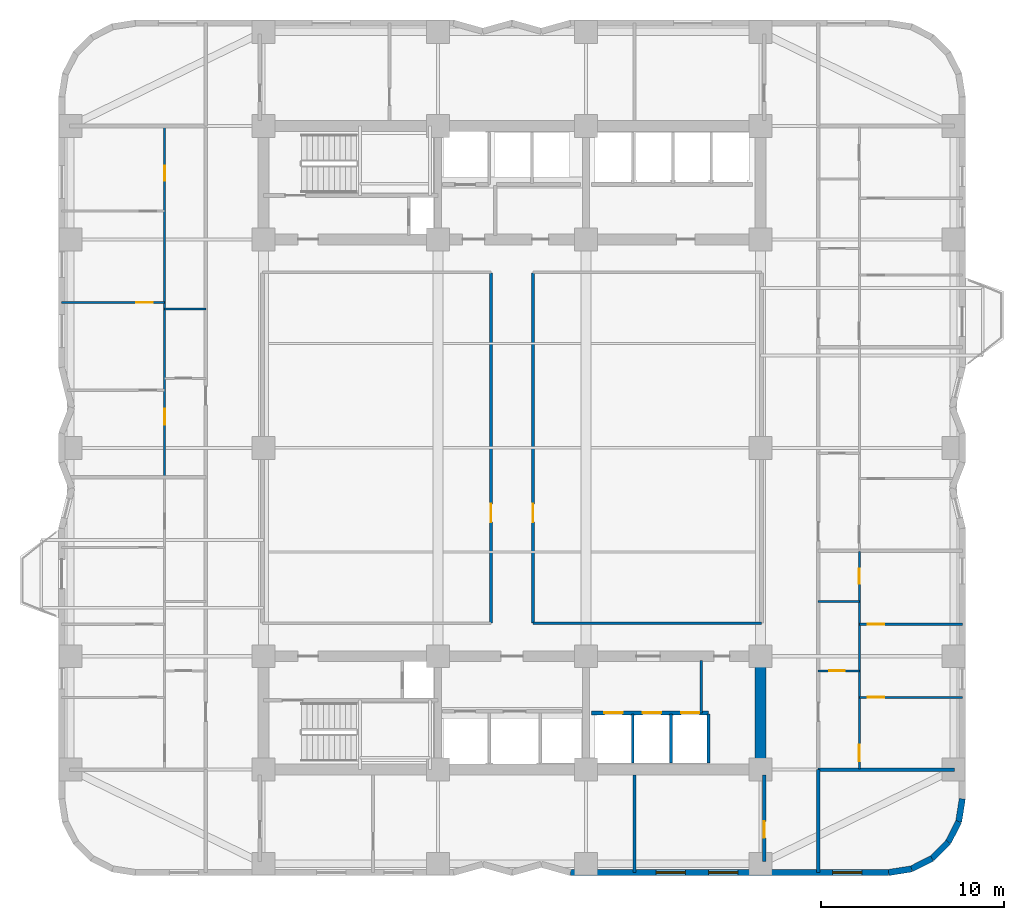
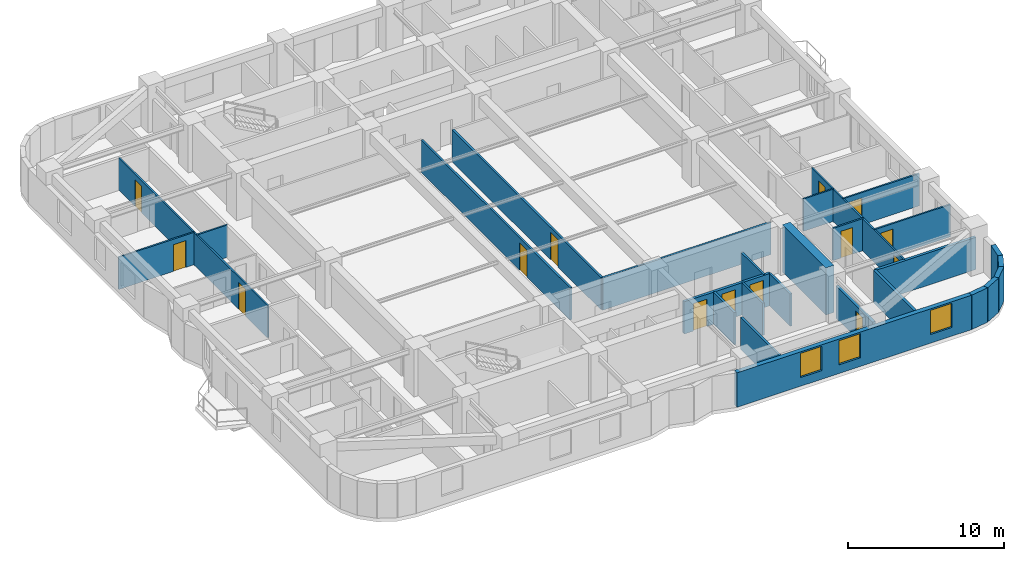
# One storey, part 4 of 9: 27 walls, 14 doors, 3 windows, 17 openings.
"""IFC4 building model written with IfcOpenShell, lengths in metres."""

import ifcopenshell
import ifcopenshell.guid

model = None  # the IFC model being written
_history = None  # IfcOwnerHistory: only IFC2X3 demands one
_inside = {}  # id of a spatial element -> (the spatial element, [elements in it])
_under = {}  # id of a project, library or spatial element -> (it, [spatial elements below it])
_declared = {}  # id of a project -> (the project, [libraries it declares])
_typed = {}  # id of a type object -> (the type object, [elements of that type])
_made_of = {}  # id of a material, layer set ... -> (it, [elements and type objects made of it])


def new_model(schema):
    """Start an empty IFC model of exactly this schema.

    Asked for "IFC4X3", IfcOpenShell would pick the latest addendum, in which some entities
    have other attributes; the version numbers below select the first issue.
    IFC2X3 requires an IfcOwnerHistory on every rooted entity: one is made here for all.
    """
    global model, _history
    if schema == "IFC4X3":
        model = ifcopenshell.file(schema_version=(4, 3, 0, 0))
    else:
        model = ifcopenshell.file(schema=schema)
    _inside.clear()
    _under.clear()
    _declared.clear()
    _typed.clear()
    _made_of.clear()
    _history = None
    if model.schema == "IFC2X3":
        org = make("IfcOrganization", Name="unknown")
        user = make(
            "IfcPersonAndOrganization",
            ThePerson=make("IfcPerson", FamilyName="unknown"),
            TheOrganization=org,
        )
        app = make(
            "IfcApplication",
            ApplicationDeveloper=org,
            Version="unknown",
            ApplicationFullName="unknown",
            ApplicationIdentifier="unknown",
        )
        _history = make(
            "IfcOwnerHistory",
            OwningUser=user,
            OwningApplication=app,
            ChangeAction="ADDED",
            CreationDate=0,
        )
    return model


def make(cls, **values):
    """One entity of the class cls with the attributes given. An attribute that is None is left unset."""
    return model.create_entity(
        cls, **{name: value for name, value in values.items() if value is not None}
    )


def rooted(cls, **values):
    """An entity with a GlobalId (a new one), such as an element, a storey or a relation."""
    return make(cls, GlobalId=ifcopenshell.guid.new(), OwnerHistory=_history, **values)


def si_unit(unit_type, name, prefix=None):
    """IfcSIUnit, for example si_unit("LENGTHUNIT", "METRE", prefix="MILLI")."""
    return make("IfcSIUnit", UnitType=unit_type, Prefix=prefix, Name=name)


def assignment(units):
    """IfcUnitAssignment: the units of a project."""
    return None if units is None else make("IfcUnitAssignment", Units=units)


def point(xyz):
    """IfcCartesianPoint."""
    return None if xyz is None else make("IfcCartesianPoint", Coordinates=xyz)


def direction(xyz):
    """IfcDirection."""
    return None if xyz is None else make("IfcDirection", DirectionRatios=xyz)


def frame(location, z_axis=None, x_axis=None):
    """IfcAxis2Placement3D, a coordinate frame: its origin and axes. An axis left out is left unset."""
    return make(
        "IfcAxis2Placement3D",
        Location=point(location),
        Axis=direction(z_axis),
        RefDirection=direction(x_axis),
    )


def frame_2d(location, x_axis=None):
    """IfcAxis2Placement2D, a coordinate frame in the plane: its origin and x axis."""
    return make(
        "IfcAxis2Placement2D", Location=point(location), RefDirection=direction(x_axis)
    )


def origin():
    """The frame at (0, 0, 0) with its axes left unset."""
    return frame((0.0, 0.0, 0.0))


def place(relative_to, where):
    """IfcLocalPlacement: puts the frame where relative to a parent placement (None: the world)."""
    return make(
        "IfcLocalPlacement", PlacementRelTo=relative_to, RelativePlacement=where
    )


def context(
    kind, dimensions, precision=None, world=None, true_north=None, identifier=None
):
    """IfcGeometricRepresentationContext, for example the 3D "Model" context."""
    return make(
        "IfcGeometricRepresentationContext",
        ContextIdentifier=identifier,
        ContextType=kind,
        CoordinateSpaceDimension=dimensions,
        Precision=precision,
        WorldCoordinateSystem=world,
        TrueNorth=true_north,
    )


def subcontext(parent, identifier, kind, view, scale=None):
    """IfcGeometricRepresentationSubContext, for example "Body" below "Model"."""
    return make(
        "IfcGeometricRepresentationSubContext",
        ContextIdentifier=identifier,
        ContextType=kind,
        ParentContext=parent,
        TargetScale=scale,
        TargetView=view,
    )


def project(units=None, contexts=None):
    """IfcProject with its units and contexts."""
    return rooted(
        "IfcProject",
        Name="project",
        RepresentationContexts=contexts,
        UnitsInContext=assignment(units),
    )


def spatial(cls, under=None, at=None, **own):
    """A site, building, storey or space (cls), placed at a placement, below another one or the project."""
    s = rooted(cls, ObjectPlacement=at, **own)
    if under is not None:
        _under.setdefault(under.id(), (under, []))[1].append(s)
    return s


def profile(cls, at=None, kind="AREA", **sizes):
    """A parametric profile (cls). Its sizes go by their IFC names, for example OverallWidth=200.0."""
    return make(cls, ProfileType=kind, Position=at, **sizes)


def rectangle(**sizes):
    """IfcRectangleProfileDef."""
    return profile("IfcRectangleProfileDef", **sizes)


def extrude(swept, where, along, depth):
    """IfcExtrudedAreaSolid: the profile swept, set in the frame where, extruded along a direction by depth."""
    return make(
        "IfcExtrudedAreaSolid",
        SweptArea=swept,
        Position=where,
        ExtrudedDirection=direction(along),
        Depth=depth,
    )


def shape(context_of_items, identifier, shape_type, items):
    """IfcShapeRepresentation: the items that make up one representation, for example the "Body"."""
    return make(
        "IfcShapeRepresentation",
        ContextOfItems=context_of_items,
        RepresentationIdentifier=identifier,
        RepresentationType=shape_type,
        Items=items,
    )


def material(Name=None, Category=None):
    """IfcMaterial."""
    return make("IfcMaterial", Name=Name, Category=Category)


def layer(
    of_material, thickness, ventilated=None, Name=None, Category=None, Priority=None
):
    """IfcMaterialLayer: one layer of a wall or slab, of a material (None: an air gap)."""
    return make(
        "IfcMaterialLayer",
        Material=of_material,
        LayerThickness=thickness,
        IsVentilated=ventilated,
        Name=Name,
        Category=Category,
        Priority=Priority,
    )


def layer_set(layers, Name=None):
    """IfcMaterialLayerSet."""
    return make("IfcMaterialLayerSet", MaterialLayers=layers, LayerSetName=Name)


def made_of(thing, what):
    """Note that an element or type object is made of a material, layer set ...; save() writes the relation."""
    if what is not None:
        _made_of.setdefault(what.id(), (what, []))[1].append(thing)
    return thing


def type_object(cls, material=None, **own):
    """A type object (cls), such as IfcWallType, which elements share."""
    return made_of(rooted(cls, **own), material)


def element(
    cls,
    number,
    at=None,
    inside=None,
    cuts=None,
    type_object=None,
    material=None,
    context=None,
    identifier="Body",
    shape_type=None,
    held_by="IfcProductDefinitionShape",
    body=None,
    shapes=None,
    **own,
):
    """One element of the class cls, such as IfcWall. Its Tag is "e" and its number.

    at: its placement. inside: the storey or other place that contains it. cuts: it is an
    opening in that element (IfcRelVoidsElement). A single representation is given by context,
    identifier, shape_type and body (its items); several are given by shapes. held_by: the class
    of the entity that holds the representations. save() writes the other relations.
    """
    e = rooted(cls, Tag="e%d" % number, ObjectPlacement=at, **own)
    if body is not None:
        shapes = [shape(context, identifier, shape_type, body)]
    if shapes is not None:
        e.Representation = make(held_by, Representations=shapes)
    if inside is not None:
        _inside.setdefault(inside.id(), (inside, []))[1].append(e)
    if cuts is not None:
        rooted(
            "IfcRelVoidsElement", RelatingBuildingElement=cuts, RelatedOpeningElement=e
        )
    if type_object is not None:
        _typed.setdefault(type_object.id(), (type_object, []))[1].append(e)
    return made_of(e, material)


def fill(opening, filler):
    """IfcRelFillsElement: the door or window that sits in an opening."""
    return rooted(
        "IfcRelFillsElement",
        RelatingOpeningElement=opening,
        RelatedBuildingElement=filler,
    )


def aggregate(whole, parts):
    """IfcRelAggregates: a whole, such as a stair, and the parts it consists of."""
    return rooted("IfcRelAggregates", RelatingObject=whole, RelatedObjects=parts)


def save(model, path):
    """Write the relations noted so far, then the file.

    IfcRelAggregates (storeys below a building ...), IfcRelContainedInSpatialStructure (elements
    in a storey), IfcRelDefinesByType, IfcRelAssociatesMaterial and IfcRelDeclares: one each for
    every whole, place, type object, material and project.
    """
    for whole, parts in _under.values():
        aggregate(whole, parts)
    for where, things in _inside.values():
        rooted(
            "IfcRelContainedInSpatialStructure",
            RelatedElements=things,
            RelatingStructure=where,
        )
    for kind, things in _typed.values():
        rooted("IfcRelDefinesByType", RelatedObjects=things, RelatingType=kind)
    for what, things in _made_of.values():
        rooted("IfcRelAssociatesMaterial", RelatedObjects=things, RelatingMaterial=what)
    for by, libraries in _declared.values():
        rooted("IfcRelDeclares", RelatingContext=by, RelatedDefinitions=libraries)
    model.write(path)


model = new_model("IFC4")

# Units and contexts
model_context = context("Model", 3, precision=1e-05, world=origin(), true_north=direction((0.0, 1.0)))
body_context = subcontext(model_context, "Body", "Model", "MODEL_VIEW")
ifc_project = project(units=[si_unit("LENGTHUNIT", "METRE"), si_unit("AREAUNIT", "SQUARE_METRE"), si_unit("VOLUMEUNIT", "CUBIC_METRE"), si_unit("PLANEANGLEUNIT", "RADIAN"), si_unit("MASSUNIT", "GRAM", prefix="KILO")], contexts=[model_context])

# Site, building, storey
site_placement = place(None, origin())
site = spatial("IfcSite", under=ifc_project, at=site_placement, CompositionType="ELEMENT")
building_placement = place(site_placement, origin())
building = spatial("IfcBuilding", under=site, at=building_placement, Name="Svetorya Sky Lyceum", CompositionType="ELEMENT")
storey_placement = place(building_placement, frame((0.0, 0.0, 28.800048828125)))
storey = spatial("IfcBuildingStorey", under=building, at=storey_placement, Name="L06", CompositionType="ELEMENT", Elevation=28.800048828125)

# Wall
ifc_material_1 = material(Name="Concrete C60/75", Category="concrete")
ifc_layer_1 = layer(ifc_material_1, 0.60009765625)
ifc_layer_set_1 = layer_set([ifc_layer_1], Name="Concrete C60/75")
wall_type_1 = type_object("IfcWallType", Name="WL-CORE-600", PredefinedType="SHEAR", material=ifc_layer_set_1)
wall_1_placement = place(storey_placement, frame((52.800048828125, 10.89990234375, 0.0), z_axis=(0.0, 0.0, 1.0), x_axis=(0.0, 1.0, 0.0)))
element("IfcWall", 1, at=wall_1_placement, inside=storey, type_object=wall_type_1, Name="L06 SC East Core Shear Wall", PredefinedType="SHEAR", context=body_context, shape_type="SweptSolid", body=[
    extrude(rectangle(XDim=5.60009765625, YDim=0.60009765625, at=frame_2d((2.800048828125, 0.0))), origin(), (0.0, 0.0, 1.0), 3.699951171875),
])

# Wall, openings, windows
ifc_material_2 = material(Name="Putilovo limestone rainscreen on autoclaved cellular masonry", Category="masonry")
ifc_layer_2 = layer(ifc_material_2, 0.340087890625)
ifc_layer_set_2 = layer_set([ifc_layer_2], Name="Putilovo limestone rainscreen on autoclaved cellular masonry")
wall_type_2 = type_object("IfcWallType", Name="WL-EXT-340", PredefinedType="SOLIDWALL", material=ifc_layer_set_2)
wall_2_placement = place(storey_placement, frame((42.39990234375, 4.969970703125, 0.0), z_axis=(0.0, 0.0, 1.0), x_axis=(1.0, 0.0, 0.0)))
wall_2 = element("IfcWall", 2, at=wall_2_placement, inside=storey, type_object=wall_type_2, Name="L06 Limestone Exterior Wall 11M", PredefinedType="SOLIDWALL", context=body_context, shape_type="SweptSolid", body=[
    extrude(rectangle(XDim=17.400146484375, YDim=0.340087890625, at=frame_2d((8.7001953125, 0.0))), origin(), (0.0, 0.0, 1.0), 2.699951171875),
])
opening_1_placement = place(wall_2_placement, frame((4.679931640625, 0.0, 0.679931640625)))
opening_1 = element("IfcOpeningElement", 3, at=opening_1_placement, cuts=wall_2, Name="Opening W-R4", PredefinedType="OPENING", context=body_context, shape_type="SweptSolid", body=[
    extrude(rectangle(XDim=1.60009765625, YDim=1.89990234375, at=frame_2d((0.800048828125, 0.949951171875))), frame((0.0, 0.179931640625, 0.0), z_axis=(0.0, -1.0, 0.0), x_axis=(1.0, 0.0, 0.0)), (0.0, 0.0, 1.0), 0.360107421875),
])
opening_2_placement = place(wall_2_placement, frame((7.550048828125, 0.0, 0.679931640625)))
opening_2 = element("IfcOpeningElement", 4, at=opening_2_placement, cuts=wall_2, Name="Opening W-R4", PredefinedType="OPENING", context=body_context, shape_type="SweptSolid", body=[
    extrude(rectangle(XDim=1.60009765625, YDim=1.89990234375, at=frame_2d((0.800048828125, 0.949951171875))), frame((0.0, 0.179931640625, 0.0), z_axis=(0.0, -1.0, 0.0), x_axis=(1.0, 0.0, 0.0)), (0.0, 0.0, 1.0), 0.360107421875),
])
opening_3_placement = place(wall_2_placement, frame((14.340087890625, 0.0, 0.679931640625)))
opening_3 = element("IfcOpeningElement", 5, at=opening_3_placement, cuts=wall_2, Name="Opening W-R4", PredefinedType="OPENING", context=body_context, shape_type="SweptSolid", body=[
    extrude(rectangle(XDim=1.60009765625, YDim=1.89990234375, at=frame_2d((0.800048828125, 0.949951171875))), frame((0.0, 0.179931640625, 0.0), z_axis=(0.0, -1.0, 0.0), x_axis=(1.0, 0.0, 0.0)), (0.0, 0.0, 1.0), 0.360107421875),
])
ifc_material_3 = material(Name="Thermally broken aluminium frame with triple low-E glazing", Category="aluminium")
window_type = type_object("IfcWindowType", Name="WN-RES-160", PartitioningType="DOUBLE_PANEL_VERTICAL", PredefinedType="WINDOW", material=ifc_material_3)
window_1_placement = place(opening_1_placement, origin())
window_1 = element("IfcWindow", 6, at=window_1_placement, inside=storey, type_object=window_type, Name="L06 Facade Window W-R4.11M.1", OverallHeight=1.89990234375, OverallWidth=1.60009765625, PartitioningType="SINGLE_PANEL", PredefinedType="WINDOW", context=body_context, shape_type="SweptSolid", body=[
    extrude(rectangle(XDim=1.60009765625, YDim=1.89990234375, at=frame_2d((0.800048828125, 0.949951171875))), frame((0.0, 0.030029296875, 0.0), z_axis=(0.0, -1.0, 0.0), x_axis=(1.0, 0.0, 0.0)), (0.0, 0.0, 1.0), 0.06005859375),
])
fill(opening_1, window_1)
window_2_placement = place(opening_2_placement, origin())
window_2 = element("IfcWindow", 7, at=window_2_placement, inside=storey, type_object=window_type, Name="L06 Facade Window W-R4.11M.2", OverallHeight=1.89990234375, OverallWidth=1.60009765625, PartitioningType="SINGLE_PANEL", PredefinedType="WINDOW", context=body_context, shape_type="SweptSolid", body=[
    extrude(rectangle(XDim=1.60009765625, YDim=1.89990234375, at=frame_2d((0.800048828125, 0.949951171875))), frame((0.0, 0.030029296875, 0.0), z_axis=(0.0, -1.0, 0.0), x_axis=(1.0, 0.0, 0.0)), (0.0, 0.0, 1.0), 0.06005859375),
])
fill(opening_2, window_2)
window_3_placement = place(opening_3_placement, origin())
window_3 = element("IfcWindow", 8, at=window_3_placement, inside=storey, type_object=window_type, Name="L06 Facade Window W-R4.11M.3", OverallHeight=1.89990234375, OverallWidth=1.60009765625, PartitioningType="SINGLE_PANEL", PredefinedType="WINDOW", context=body_context, shape_type="SweptSolid", body=[
    extrude(rectangle(XDim=1.60009765625, YDim=1.89990234375, at=frame_2d((0.800048828125, 0.949951171875))), frame((0.0, 0.030029296875, 0.0), z_axis=(0.0, -1.0, 0.0), x_axis=(1.0, 0.0, 0.0)), (0.0, 0.0, 1.0), 0.06005859375),
])
fill(opening_3, window_3)

# Walls
wall_3_placement = place(storey_placement, frame((59.800048828125, 4.969970703125, 0.0), z_axis=(0.0, 0.0, 1.0), x_axis=(0.987685918112, 0.15644975923, 0.0)))
element("IfcWall", 9, at=wall_3_placement, inside=storey, type_object=wall_type_2, Name="L06 Limestone Exterior Wall 12M", PredefinedType="SOLIDWALL", context=body_context, shape_type="SweptSolid", body=[
    extrude(rectangle(XDim=1.260986328125, YDim=0.340087890625, at=frame_2d((0.63037109375, 0.0))), origin(), (0.0, 0.0, 1.0), 2.699951171875),
])
for number, where, z_axis, x_axis, name in (
    (10, (61.04541015625, 5.167236328125, 0.0), (0.0, 0.0, 1.0), (0.890953769915, 0.454094020963, 0.0), "L06 Limestone Exterior Wall 13M"),
    (11, (62.168701171875, 5.73974609375, 0.0), (0.0, 0.0, 1.0), (0.707203598708, 0.707009950407, 0.0), "L06 Limestone Exterior Wall 14M"),
):
    element("IfcWall", number, at=place(storey_placement, frame(where, z_axis=z_axis, x_axis=x_axis)), inside=storey, type_object=wall_type_2, Name=name, PredefinedType="SOLIDWALL", context=body_context, shape_type="SweptSolid", body=[
        extrude(rectangle(XDim=1.2607421875, YDim=0.340087890625, at=frame_2d((0.63037109375, 0.0))), origin(), (0.0, 0.0, 1.0), 2.699951171875),
    ])
for number, where, z_axis, x_axis, name in (
    (12, (63.060302734375, 6.631103515625, 0.0), (0.0, 0.0, 1.0), (0.454015689056, 0.890993689142, 0.0), "L06 Limestone Exterior Wall 15M"),
    (13, (63.6328125, 7.754638671875, 0.0), (0.0, 0.0, 1.0), (0.15644975923, 0.987685918112, 0.0), "L06 Limestone Exterior Wall 16M"),
):
    element("IfcWall", number, at=place(storey_placement, frame(where, z_axis=z_axis, x_axis=x_axis)), inside=storey, type_object=wall_type_2, Name=name, PredefinedType="SOLIDWALL", context=body_context, shape_type="SweptSolid", body=[
        extrude(rectangle(XDim=1.260986328125, YDim=0.340087890625, at=frame_2d((0.63037109375, 0.0))), origin(), (0.0, 0.0, 1.0), 2.699951171875),
    ])
ifc_material_4 = material(Name="Twin-stud galvanized framing with double fireboard", Category="gypsum")
ifc_layer_3 = layer(ifc_material_4, 0.1201171875)
ifc_layer_set_3 = layer_set([ifc_layer_3], Name="Twin-stud galvanized framing with double fireboard")
wall_type_3 = type_object("IfcWallType", Name="WL-PART-120", PredefinedType="PARTITIONING", material=ifc_layer_set_3)
wall_4_placement = place(storey_placement, frame((20.199951171875, 35.800048828125, 0.0), z_axis=(0.0, 0.0, 1.0), x_axis=(1.0, 0.0, 0.0)))
element("IfcWall", 14, at=wall_4_placement, inside=storey, type_object=wall_type_3, Name="L06 Interior Partition W2-WH2", PredefinedType="PARTITIONING", context=body_context, shape_type="SweptSolid", body=[
    extrude(rectangle(XDim=2.25, YDim=0.1201171875, at=frame_2d((1.125, 0.0))), origin(), (0.0, 0.0, 1.0), 2.530029296875),
])

# Wall, opening, door
wall_5_placement = place(storey_placement, frame((14.570068359375, 36.14990234375, 0.0), z_axis=(0.0, 0.0, 1.0), x_axis=(1.0, 0.0, 0.0)))
wall_5 = element("IfcWall", 15, at=wall_5_placement, inside=storey, type_object=wall_type_3, Name="L06 Interior Partition W2-WL2", PredefinedType="PARTITIONING", context=body_context, shape_type="SweptSolid", body=[
    extrude(rectangle(XDim=5.6298828125, YDim=0.1201171875, at=frame_2d((2.81494140625, 0.0))), origin(), (0.0, 0.0, 1.0), 2.530029296875),
])
opening_4_placement = place(wall_5_placement, frame((4.080078125, 0.0, 0.0)))
opening_4 = element("IfcOpeningElement", 16, at=opening_4_placement, cuts=wall_5, Name="Opening D-RM1", PredefinedType="OPENING", context=body_context, shape_type="SweptSolid", body=[
    extrude(rectangle(XDim=0.89990234375, YDim=2.10009765625, at=frame_2d((0.449951171875, 1.050048828125))), frame((0.0, 0.070068359375, 0.0), z_axis=(0.0, -1.0, 0.0), x_axis=(1.0, 0.0, 0.0)), (0.0, 0.0, 1.0), 0.14013671875),
])
ifc_material_5 = material(Name="Lacquered birch veneer internal door")
door_type_1 = type_object("IfcDoorType", Name="DR-INT-900", OperationType="SINGLE_SWING_LEFT", PredefinedType="DOOR", material=ifc_material_5)
door_1_placement = place(opening_4_placement, origin())
door_1 = element("IfcDoor", 17, at=door_1_placement, inside=storey, type_object=door_type_1, Name="Apartment W2 Bedroom 2 Door", OperationType="SINGLE_SWING_LEFT", OverallHeight=2.10009765625, OverallWidth=0.89990234375, PredefinedType="DOOR", context=body_context, shape_type="SweptSolid", body=[
    extrude(rectangle(XDim=0.89990234375, YDim=2.10009765625, at=frame_2d((0.449951171875, 1.050048828125))), frame((0.0, 0.02490234375, 0.0), z_axis=(0.0, -1.0, 0.0), x_axis=(1.0, 0.0, 0.0)), (0.0, 0.0, 1.0), 0.050048828125),
])
fill(opening_4, door_1)

# Wall, openings, doors
wall_6_placement = place(storey_placement, frame((20.199951171875, 26.639892578125, 0.0), z_axis=(0.0, 0.0, 1.0), x_axis=(0.0, 1.0, 0.0)))
wall_6 = element("IfcWall", 18, at=wall_6_placement, inside=storey, type_object=wall_type_3, Name="L06 Interior Partition W2-WV", PredefinedType="PARTITIONING", context=body_context, shape_type="SweptSolid", body=[
    extrude(rectangle(XDim=19.1201171875, YDim=0.1201171875, at=frame_2d((9.56005859375, 0.0))), origin(), (0.0, 0.0, 1.0), 2.530029296875),
])
opening_5_placement = place(wall_6_placement, frame((2.81005859375, 0.0, 0.0)))
opening_5 = element("IfcOpeningElement", 19, at=opening_5_placement, cuts=wall_6, Name="Opening D-RM1", PredefinedType="OPENING", context=body_context, shape_type="SweptSolid", body=[
    extrude(rectangle(XDim=0.89990234375, YDim=2.10009765625, at=frame_2d((0.449951171875, 1.050048828125))), frame((0.0, 0.070068359375, 0.0), z_axis=(0.0, -1.0, 0.0), x_axis=(1.0, 0.0, 0.0)), (0.0, 0.0, 1.0), 0.14013671875),
])
opening_6_placement = place(wall_6_placement, frame((16.179931640625, 0.0, 0.0)))
opening_6 = element("IfcOpeningElement", 20, at=opening_6_placement, cuts=wall_6, Name="Opening D-BT2", PredefinedType="OPENING", context=body_context, shape_type="SweptSolid", body=[
    extrude(rectangle(XDim=0.820068359375, YDim=2.080078125, at=frame_2d((0.41015625, 1.0400390625))), frame((0.0, 0.070068359375, 0.0), z_axis=(0.0, -1.0, 0.0), x_axis=(1.0, 0.0, 0.0)), (0.0, 0.0, 1.0), 0.14013671875),
])
door_2_placement = place(opening_5_placement, origin())
door_2 = element("IfcDoor", 21, at=door_2_placement, inside=storey, type_object=door_type_1, Name="Apartment W2 Living Door", OperationType="SINGLE_SWING_LEFT", OverallHeight=2.10009765625, OverallWidth=0.89990234375, PredefinedType="DOOR", context=body_context, shape_type="SweptSolid", body=[
    extrude(rectangle(XDim=0.89990234375, YDim=2.10009765625, at=frame_2d((0.449951171875, 1.050048828125))), frame((0.0, 0.02490234375, 0.0), z_axis=(0.0, -1.0, 0.0), x_axis=(1.0, 0.0, 0.0)), (0.0, 0.0, 1.0), 0.050048828125),
])
fill(opening_5, door_2)
ifc_material_6 = material(Name="Compact moisture-resistant laminate closet door")
door_type_2 = type_object("IfcDoorType", Name="DR-WET-820", OperationType="SINGLE_SWING_LEFT", PredefinedType="DOOR", material=ifc_material_6)
door_3_placement = place(opening_6_placement, origin())
door_3 = element("IfcDoor", 22, at=door_3_placement, inside=storey, type_object=door_type_2, Name="Apartment W2 Study Door", OperationType="SINGLE_SWING_RIGHT", OverallHeight=2.080078125, OverallWidth=0.820068359375, PredefinedType="DOOR", context=body_context, shape_type="SweptSolid", body=[
    extrude(rectangle(XDim=0.820068359375, YDim=2.080078125, at=frame_2d((0.41015625, 1.0400390625))), frame((0.0, 0.02490234375, 0.0), z_axis=(0.0, -1.0, 0.0), x_axis=(1.0, 0.0, 0.0)), (0.0, 0.0, 1.0), 0.050048828125),
])
fill(opening_6, door_3)

# Wall, opening, door
wall_7_placement = place(storey_placement, frame((55.949951171875, 16.0, 0.0), z_axis=(0.0, 0.0, 1.0), x_axis=(1.0, 0.0, 0.0)))
wall_7 = element("IfcWall", 23, at=wall_7_placement, inside=storey, type_object=wall_type_3, Name="L06 Interior Partition E1-WH1", PredefinedType="PARTITIONING", context=body_context, shape_type="SweptSolid", body=[
    extrude(rectangle(XDim=2.25, YDim=0.1201171875, at=frame_2d((1.125, 0.0))), origin(), (0.0, 0.0, 1.0), 2.530029296875),
])
opening_7_placement = place(wall_7_placement, frame((0.60009765625, 0.0, 0.0)))
opening_7 = element("IfcOpeningElement", 24, at=opening_7_placement, cuts=wall_7, Name="Opening D-BT1", PredefinedType="OPENING", context=body_context, shape_type="SweptSolid", body=[
    extrude(rectangle(XDim=0.85009765625, YDim=2.10009765625, at=frame_2d((0.425048828125, 1.050048828125))), frame((0.0, 0.070068359375, 0.0), z_axis=(0.0, -1.0, 0.0), x_axis=(1.0, 0.0, 0.0)), (0.0, 0.0, 1.0), 0.14013671875),
])
ifc_material_7 = material(Name="Moisture-resistant laminate bathroom door")
door_type_3 = type_object("IfcDoorType", Name="DR-WET-850", OperationType="SINGLE_SWING_LEFT", PredefinedType="DOOR", material=ifc_material_7)
door_4_placement = place(opening_7_placement, origin())
door_4 = element("IfcDoor", 25, at=door_4_placement, inside=storey, type_object=door_type_3, Name="Apartment E1 Bathroom Door", OperationType="SINGLE_SWING_RIGHT", OverallHeight=2.10009765625, OverallWidth=0.85009765625, PredefinedType="DOOR", context=body_context, shape_type="SweptSolid", body=[
    extrude(rectangle(XDim=0.85009765625, YDim=2.10009765625, at=frame_2d((0.425048828125, 1.050048828125))), frame((0.0, 0.02490234375, 0.0), z_axis=(0.0, -1.0, 0.0), x_axis=(1.0, 0.0, 0.0)), (0.0, 0.0, 1.0), 0.050048828125),
])
fill(opening_7, door_4)

# Wall
wall_8_placement = place(storey_placement, frame((55.949951171875, 19.800048828125, 0.0), z_axis=(0.0, 0.0, 1.0), x_axis=(1.0, 0.0, 0.0)))
element("IfcWall", 26, at=wall_8_placement, inside=storey, type_object=wall_type_3, Name="L06 Interior Partition E1-WH2", PredefinedType="PARTITIONING", context=body_context, shape_type="SweptSolid", body=[
    extrude(rectangle(XDim=2.25, YDim=0.1201171875, at=frame_2d((1.125, 0.0))), origin(), (0.0, 0.0, 1.0), 2.530029296875),
])

# Wall, opening, door
wall_9_placement = place(storey_placement, frame((58.199951171875, 14.550048828125, 0.0), z_axis=(0.0, 0.0, 1.0), x_axis=(1.0, 0.0, 0.0)))
wall_9 = element("IfcWall", 27, at=wall_9_placement, inside=storey, type_object=wall_type_3, Name="L06 Interior Partition E1-WL1", PredefinedType="PARTITIONING", context=body_context, shape_type="SweptSolid", body=[
    extrude(rectangle(XDim=5.630126953125, YDim=0.1201171875, at=frame_2d((2.81494140625, 0.0))), origin(), (0.0, 0.0, 1.0), 2.530029296875),
])
opening_8_placement = place(wall_9_placement, frame((0.449951171875, 0.0, 0.0)))
opening_8 = element("IfcOpeningElement", 28, at=opening_8_placement, cuts=wall_9, Name="Opening D-RM1", PredefinedType="OPENING", context=body_context, shape_type="SweptSolid", body=[
    extrude(rectangle(XDim=0.89990234375, YDim=2.10009765625, at=frame_2d((0.449951171875, 1.050048828125))), frame((0.0, 0.070068359375, 0.0), z_axis=(0.0, -1.0, 0.0), x_axis=(1.0, 0.0, 0.0)), (0.0, 0.0, 1.0), 0.14013671875),
])
door_5_placement = place(opening_8_placement, origin())
door_5 = element("IfcDoor", 29, at=door_5_placement, inside=storey, type_object=door_type_1, Name="Apartment E1 Master Bedroom Door", OperationType="SINGLE_SWING_RIGHT", OverallHeight=2.10009765625, OverallWidth=0.89990234375, PredefinedType="DOOR", context=body_context, shape_type="SweptSolid", body=[
    extrude(rectangle(XDim=0.89990234375, YDim=2.10009765625, at=frame_2d((0.449951171875, 1.050048828125))), frame((0.0, 0.02490234375, 0.0), z_axis=(0.0, -1.0, 0.0), x_axis=(1.0, 0.0, 0.0)), (0.0, 0.0, 1.0), 0.050048828125),
])
fill(opening_8, door_5)

wall_10_placement = place(storey_placement, frame((58.199951171875, 18.550048828125, 0.0), z_axis=(0.0, 0.0, 1.0), x_axis=(1.0, 0.0, 0.0)))
wall_10 = element("IfcWall", 30, at=wall_10_placement, inside=storey, type_object=wall_type_3, Name="L06 Interior Partition E1-WL2", PredefinedType="PARTITIONING", context=body_context, shape_type="SweptSolid", body=[
    extrude(rectangle(XDim=5.630126953125, YDim=0.1201171875, at=frame_2d((2.81494140625, 0.0))), origin(), (0.0, 0.0, 1.0), 2.530029296875),
])
opening_9_placement = place(wall_10_placement, frame((0.449951171875, 0.0, 0.0)))
opening_9 = element("IfcOpeningElement", 31, at=opening_9_placement, cuts=wall_10, Name="Opening D-RM1", PredefinedType="OPENING", context=body_context, shape_type="SweptSolid", body=[
    extrude(rectangle(XDim=0.89990234375, YDim=2.10009765625, at=frame_2d((0.449951171875, 1.050048828125))), frame((0.0, 0.070068359375, 0.0), z_axis=(0.0, -1.0, 0.0), x_axis=(1.0, 0.0, 0.0)), (0.0, 0.0, 1.0), 0.14013671875),
])
door_6_placement = place(opening_9_placement, origin())
door_6 = element("IfcDoor", 32, at=door_6_placement, inside=storey, type_object=door_type_1, Name="Apartment E1 Bedroom 2 Door", OperationType="SINGLE_SWING_LEFT", OverallHeight=2.10009765625, OverallWidth=0.89990234375, PredefinedType="DOOR", context=body_context, shape_type="SweptSolid", body=[
    extrude(rectangle(XDim=0.89990234375, YDim=2.10009765625, at=frame_2d((0.449951171875, 1.050048828125))), frame((0.0, 0.02490234375, 0.0), z_axis=(0.0, -1.0, 0.0), x_axis=(1.0, 0.0, 0.0)), (0.0, 0.0, 1.0), 0.050048828125),
])
fill(opening_9, door_6)

# Wall, openings, doors
wall_11_placement = place(storey_placement, frame((58.199951171875, 10.639892578125, 0.0), z_axis=(0.0, 0.0, 1.0), x_axis=(0.0, 1.0, 0.0)))
wall_11 = element("IfcWall", 33, at=wall_11_placement, inside=storey, type_object=wall_type_3, Name="L06 Interior Partition E1-WV", PredefinedType="PARTITIONING", context=body_context, shape_type="SweptSolid", body=[
    extrude(rectangle(XDim=11.88818359375, YDim=0.1201171875, at=frame_2d((5.944091796875, 0.0))), origin(), (0.0, 0.0, 1.0), 2.530029296875),
])
opening_10_placement = place(wall_11_placement, frame((0.409912109375, 0.0, 0.0)))
opening_10 = element("IfcOpeningElement", 34, at=opening_10_placement, cuts=wall_11, Name="Opening D-RM1", PredefinedType="OPENING", context=body_context, shape_type="SweptSolid", body=[
    extrude(rectangle(XDim=0.89990234375, YDim=2.10009765625, at=frame_2d((0.449951171875, 1.050048828125))), frame((0.0, 0.070068359375, 0.0), z_axis=(0.0, -1.0, 0.0), x_axis=(1.0, 0.0, 0.0)), (0.0, 0.0, 1.0), 0.14013671875),
])
opening_11_placement = place(wall_11_placement, frame((10.118896484375, 0.0, 0.0)))
opening_11 = element("IfcOpeningElement", 35, at=opening_11_placement, cuts=wall_11, Name="Opening D-BT2", PredefinedType="OPENING", context=body_context, shape_type="SweptSolid", body=[
    extrude(rectangle(XDim=0.820068359375, YDim=2.080078125, at=frame_2d((0.41015625, 1.0400390625))), frame((0.0, 0.070068359375, 0.0), z_axis=(0.0, -1.0, 0.0), x_axis=(1.0, 0.0, 0.0)), (0.0, 0.0, 1.0), 0.14013671875),
])
door_7_placement = place(opening_10_placement, origin())
door_7 = element("IfcDoor", 36, at=door_7_placement, inside=storey, type_object=door_type_1, Name="Apartment E1 Living Door", OperationType="SINGLE_SWING_LEFT", OverallHeight=2.10009765625, OverallWidth=0.89990234375, PredefinedType="DOOR", context=body_context, shape_type="SweptSolid", body=[
    extrude(rectangle(XDim=0.89990234375, YDim=2.10009765625, at=frame_2d((0.449951171875, 1.050048828125))), frame((0.0, 0.02490234375, 0.0), z_axis=(0.0, -1.0, 0.0), x_axis=(1.0, 0.0, 0.0)), (0.0, 0.0, 1.0), 0.050048828125),
])
fill(opening_10, door_7)
door_8_placement = place(opening_11_placement, origin())
door_8 = element("IfcDoor", 37, at=door_8_placement, inside=storey, type_object=door_type_2, Name="Apartment E1 Study Door", OperationType="SINGLE_SWING_RIGHT", OverallHeight=2.080078125, OverallWidth=0.820068359375, PredefinedType="DOOR", context=body_context, shape_type="SweptSolid", body=[
    extrude(rectangle(XDim=0.820068359375, YDim=2.080078125, at=frame_2d((0.41015625, 1.0400390625))), frame((0.0, 0.02490234375, 0.0), z_axis=(0.0, -1.0, 0.0), x_axis=(1.0, 0.0, 0.0)), (0.0, 0.0, 1.0), 0.050048828125),
])
fill(opening_11, door_8)

# Walls
ifc_material_8 = material(Name="Autoclaved cellular masonry blockwork with acoustic render", Category="masonry")
ifc_layer_4 = layer(ifc_material_8, 0.14990234375)
ifc_layer_set_4 = layer_set([ifc_layer_4], Name="Autoclaved cellular masonry blockwork with acoustic render")
wall_type_4 = type_object("IfcWallType", Name="WL-PART-150", PredefinedType="PARTITIONING", material=ifc_layer_set_4)
for number, where, z_axis, x_axis, name in (
    (38, (45.800048828125, 10.949951171875, 0.0), (0.0, 0.0, 1.0), (0.0, 1.0, 0.0), "L06 Interior Partition SC-PL-DIV1"),
    (39, (47.89990234375, 10.949951171875, 0.0), (0.0, 0.0, 1.0), (0.0, 1.0, 0.0), "L06 Interior Partition SC-PL-DIV2"),
    (40, (49.949951171875, 10.949951171875, 0.0), (0.0, 0.0, 1.0), (0.0, 1.0, 0.0), "L06 Interior Partition SC-PL-END"),
):
    element("IfcWall", number, at=place(storey_placement, frame(where, z_axis=z_axis, x_axis=x_axis)), inside=storey, type_object=wall_type_4, Name=name, PredefinedType="PARTITIONING", context=body_context, shape_type="SweptSolid", body=[
        extrude(rectangle(XDim=2.699951171875, YDim=0.14990234375, at=frame_2d((1.35009765625, 0.0))), origin(), (0.0, 0.0, 1.0), 2.530029296875),
    ])
wall_12_placement = place(storey_placement, frame((49.550048828125, 13.699951171875, 0.0), z_axis=(0.0, 0.0, 1.0), x_axis=(0.0, 1.0, 0.0)))
element("IfcWall", 41, at=wall_12_placement, inside=storey, type_object=wall_type_4, Name="L06 Interior Partition SC-AUX-V", PredefinedType="PARTITIONING", context=body_context, shape_type="SweptSolid", body=[
    extrude(rectangle(XDim=2.880126953125, YDim=0.14990234375, at=frame_2d((1.43994140625, 0.0))), origin(), (0.0, 0.0, 1.0), 2.530029296875),
])
wall_13_placement = place(storey_placement, frame((40.35009765625, 18.60009765625, 0.0), z_axis=(0.0, 0.0, 1.0), x_axis=(1.0, 0.0, 0.0)))
element("IfcWall", 42, at=wall_13_placement, inside=storey, type_object=wall_type_4, Name="L06 Interior Partition CS-MID-E", PredefinedType="PARTITIONING", context=body_context, shape_type="SweptSolid", body=[
    extrude(rectangle(XDim=12.5, YDim=0.14990234375, at=frame_2d((6.25, 0.0))), origin(), (0.0, 0.0, 1.0), 2.530029296875),
])

# Wall, opening, door
wall_14_placement = place(storey_placement, frame((38.050048828125, 18.6298828125, 0.0), z_axis=(0.0, 0.0, 1.0), x_axis=(0.0, 1.0, 0.0)))
wall_14 = element("IfcWall", 43, at=wall_14_placement, inside=storey, type_object=wall_type_4, Name="L06 Interior Partition CEN-VW", PredefinedType="PARTITIONING", context=body_context, shape_type="SweptSolid", body=[
    extrude(rectangle(XDim=19.14013671875, YDim=0.14990234375, at=frame_2d((9.570068359375, 0.0))), origin(), (0.0, 0.0, 1.0), 2.530029296875),
])
opening_12_placement = place(wall_14_placement, frame((5.5, 0.0, 0.0)))
opening_12 = element("IfcOpeningElement", 44, at=opening_12_placement, cuts=wall_14, Name="Opening D-RM2", PredefinedType="OPENING", context=body_context, shape_type="SweptSolid", body=[
    extrude(rectangle(XDim=1.0, YDim=2.14990234375, at=frame_2d((0.5, 1.074951171875))), frame((0.0, 0.0849609375, 0.0), z_axis=(0.0, -1.0, 0.0), x_axis=(1.0, 0.0, 0.0)), (0.0, 0.0, 1.0), 0.169921875),
])
ifc_material_9 = material(Name="Solid-core oak acoustic room door")
door_type_4 = type_object("IfcDoorType", Name="DR-INT-1000", OperationType="SINGLE_SWING_LEFT", PredefinedType="DOOR", material=ifc_material_9)
door_9_placement = place(opening_12_placement, origin())
door_9 = element("IfcDoor", 45, at=door_9_placement, inside=storey, type_object=door_type_4, Name="L06 Seminar Door", OperationType="SINGLE_SWING_LEFT", OverallHeight=2.14990234375, OverallWidth=1.0, PredefinedType="DOOR", context=body_context, shape_type="SweptSolid", body=[
    extrude(rectangle(XDim=1.0, YDim=2.14990234375, at=frame_2d((0.5, 1.074951171875))), frame((0.0, 0.02490234375, 0.0), z_axis=(0.0, -1.0, 0.0), x_axis=(1.0, 0.0, 0.0)), (0.0, 0.0, 1.0), 0.050048828125),
])
fill(opening_12, door_9)

wall_15_placement = place(storey_placement, frame((40.35009765625, 18.6298828125, 0.0), z_axis=(0.0, 0.0, 1.0), x_axis=(0.0, 1.0, 0.0)))
wall_15 = element("IfcWall", 46, at=wall_15_placement, inside=storey, type_object=wall_type_4, Name="L06 Interior Partition CEN-VE", PredefinedType="PARTITIONING", context=body_context, shape_type="SweptSolid", body=[
    extrude(rectangle(XDim=19.14013671875, YDim=0.14990234375, at=frame_2d((9.570068359375, 0.0))), origin(), (0.0, 0.0, 1.0), 2.530029296875),
])
opening_13_placement = place(wall_15_placement, frame((5.5, 0.0, 0.0)))
opening_13 = element("IfcOpeningElement", 47, at=opening_13_placement, cuts=wall_15, Name="Opening D-RM2", PredefinedType="OPENING", context=body_context, shape_type="SweptSolid", body=[
    extrude(rectangle(XDim=1.0, YDim=2.14990234375, at=frame_2d((0.5, 1.074951171875))), frame((0.0, 0.0849609375, 0.0), z_axis=(0.0, -1.0, 0.0), x_axis=(1.0, 0.0, 0.0)), (0.0, 0.0, 1.0), 0.169921875),
])
door_10_placement = place(opening_13_placement, origin())
door_10 = element("IfcDoor", 48, at=door_10_placement, inside=storey, type_object=door_type_4, Name="L06 Wellness Door", OperationType="SINGLE_SWING_RIGHT", OverallHeight=2.14990234375, OverallWidth=1.0, PredefinedType="DOOR", context=body_context, shape_type="SweptSolid", body=[
    extrude(rectangle(XDim=1.0, YDim=2.14990234375, at=frame_2d((0.5, 1.074951171875))), frame((0.0, 0.02490234375, 0.0), z_axis=(0.0, -1.0, 0.0), x_axis=(1.0, 0.0, 0.0)), (0.0, 0.0, 1.0), 0.050048828125),
])
fill(opening_13, door_10)

# Wall
wall_16_placement = place(storey_placement, frame((45.89990234375, 4.969970703125, 0.0), z_axis=(0.0, 0.0, 1.0), x_axis=(0.0, 1.0, 0.0)))
element("IfcWall", 49, at=wall_16_placement, inside=storey, type_object=wall_type_4, Name="L06 Interior Partition S-D2", PredefinedType="PARTITIONING", context=body_context, shape_type="SweptSolid", body=[
    extrude(rectangle(XDim=5.330078125, YDim=0.14990234375, at=frame_2d((2.6650390625, 0.0))), origin(), (0.0, 0.0, 1.0), 2.530029296875),
])

# Wall, openings, doors
ifc_material_10 = material(Name="Autoclaved cellular masonry blockwork with gypsum plaster", Category="masonry")
ifc_layer_5 = layer(ifc_material_10, 0.199951171875)
ifc_layer_set_5 = layer_set([ifc_layer_5], Name="Autoclaved cellular masonry blockwork with gypsum plaster")
wall_type_5 = type_object("IfcWallType", Name="WL-PART-200", PredefinedType="PARTITIONING", material=ifc_layer_set_5)
wall_17_placement = place(storey_placement, frame((43.550048828125, 13.699951171875, 0.0), z_axis=(0.0, 0.0, 1.0), x_axis=(1.0, 0.0, 0.0)))
wall_17 = element("IfcWall", 50, at=wall_17_placement, inside=storey, type_object=wall_type_5, Name="L06 Interior Partition SC-PLW", PredefinedType="PARTITIONING", context=body_context, shape_type="SweptSolid", body=[
    extrude(rectangle(XDim=6.39990234375, YDim=0.199951171875, at=frame_2d((3.199951171875, 0.0))), origin(), (0.0, 0.0, 1.0), 2.530029296875),
])
opening_14_placement = place(wall_17_placement, frame((0.699951171875, 0.0, 0.0)))
opening_14 = element("IfcOpeningElement", 51, at=opening_14_placement, cuts=wall_17, Name="Opening LD-P1", PredefinedType="OPENING", context=body_context, shape_type="SweptSolid", body=[
    extrude(rectangle(XDim=1.0, YDim=2.14990234375, at=frame_2d((0.5, 1.074951171875))), frame((0.0, 0.10986328125, 0.0), z_axis=(0.0, -1.0, 0.0), x_axis=(1.0, 0.0, 0.0)), (0.0, 0.0, 1.0), 0.219970703125),
])
opening_15_placement = place(wall_17_placement, frame((2.800048828125, 0.0, 0.0)))
opening_15 = element("IfcOpeningElement", 52, at=opening_15_placement, cuts=wall_17, Name="Opening LD-P1", PredefinedType="OPENING", context=body_context, shape_type="SweptSolid", body=[
    extrude(rectangle(XDim=1.0, YDim=2.14990234375, at=frame_2d((0.5, 1.074951171875))), frame((0.0, 0.10986328125, 0.0), z_axis=(0.0, -1.0, 0.0), x_axis=(1.0, 0.0, 0.0)), (0.0, 0.0, 1.0), 0.219970703125),
])
opening_16_placement = place(wall_17_placement, frame((4.89990234375, 0.0, 0.0)))
opening_16 = element("IfcOpeningElement", 53, at=opening_16_placement, cuts=wall_17, Name="Opening LD-P1", PredefinedType="OPENING", context=body_context, shape_type="SweptSolid", body=[
    extrude(rectangle(XDim=1.0, YDim=2.14990234375, at=frame_2d((0.5, 1.074951171875))), frame((0.0, 0.10986328125, 0.0), z_axis=(0.0, -1.0, 0.0), x_axis=(1.0, 0.0, 0.0)), (0.0, 0.0, 1.0), 0.219970703125),
])
ifc_material_11 = material(Name="Champagne-anodized stainless passenger lift landing door")
door_type_5 = type_object("IfcDoorType", Name="DR-LIFT-1000", OperationType="SLIDING_TO_LEFT", PredefinedType="DOOR", material=ifc_material_11)
door_11_placement = place(opening_14_placement, origin())
door_11 = element("IfcDoor", 54, at=door_11_placement, inside=storey, type_object=door_type_5, Name="L06 Passenger Lift PL1 Landing Door", OperationType="SLIDING_TO_LEFT", OverallHeight=2.14990234375, OverallWidth=1.0, PredefinedType="DOOR", context=body_context, shape_type="SweptSolid", body=[
    extrude(rectangle(XDim=1.0, YDim=2.14990234375, at=frame_2d((0.5, 1.074951171875))), frame((0.0, 0.02490234375, 0.0), z_axis=(0.0, -1.0, 0.0), x_axis=(1.0, 0.0, 0.0)), (0.0, 0.0, 1.0), 0.050048828125),
])
fill(opening_14, door_11)
door_12_placement = place(opening_15_placement, origin())
door_12 = element("IfcDoor", 55, at=door_12_placement, inside=storey, type_object=door_type_5, Name="L06 Passenger Lift PL2 Landing Door", OperationType="SLIDING_TO_LEFT", OverallHeight=2.14990234375, OverallWidth=1.0, PredefinedType="DOOR", context=body_context, shape_type="SweptSolid", body=[
    extrude(rectangle(XDim=1.0, YDim=2.14990234375, at=frame_2d((0.5, 1.074951171875))), frame((0.0, 0.02490234375, 0.0), z_axis=(0.0, -1.0, 0.0), x_axis=(1.0, 0.0, 0.0)), (0.0, 0.0, 1.0), 0.050048828125),
])
fill(opening_15, door_12)
door_13_placement = place(opening_16_placement, origin())
door_13 = element("IfcDoor", 56, at=door_13_placement, inside=storey, type_object=door_type_5, Name="L06 Passenger Lift PL3 Landing Door", OperationType="SLIDING_TO_LEFT", OverallHeight=2.14990234375, OverallWidth=1.0, PredefinedType="DOOR", context=body_context, shape_type="SweptSolid", body=[
    extrude(rectangle(XDim=1.0, YDim=2.14990234375, at=frame_2d((0.5, 1.074951171875))), frame((0.0, 0.02490234375, 0.0), z_axis=(0.0, -1.0, 0.0), x_axis=(1.0, 0.0, 0.0)), (0.0, 0.0, 1.0), 0.050048828125),
])
fill(opening_16, door_13)

# Walls
wall_18_placement = place(storey_placement, frame((55.949951171875, 10.60009765625, 0.0), z_axis=(0.0, 0.0, 1.0), x_axis=(1.0, 0.0, 0.0)))
element("IfcWall", 57, at=wall_18_placement, inside=storey, type_object=wall_type_5, Name="L06 Interior Partition E-CAP-S", PredefinedType="PARTITIONING", context=body_context, shape_type="SweptSolid", body=[
    extrude(rectangle(XDim=7.4599609375, YDim=0.199951171875, at=frame_2d((3.72998046875, 0.0))), origin(), (0.0, 0.0, 1.0), 2.530029296875),
])
wall_19_placement = place(storey_placement, frame((55.949951171875, 4.969970703125, 0.0), z_axis=(0.0, 0.0, 1.0), x_axis=(0.0, 1.0, 0.0)))
element("IfcWall", 58, at=wall_19_placement, inside=storey, type_object=wall_type_5, Name="L06 Interior Partition EC-SE-END", PredefinedType="PARTITIONING", context=body_context, shape_type="SweptSolid", body=[
    extrude(rectangle(XDim=5.630126953125, YDim=0.199951171875, at=frame_2d((2.81494140625, 0.0))), origin(), (0.0, 0.0, 1.0), 2.530029296875),
])

# Wall, opening, door
wall_20_placement = place(storey_placement, frame((53.0, 5.570068359375, 0.0), z_axis=(0.0, 0.0, 1.0), x_axis=(0.0, 1.0, 0.0)))
wall_20 = element("IfcWall", 59, at=wall_20_placement, inside=storey, type_object=wall_type_5, Name="L06 Interior Partition S-EE", PredefinedType="PARTITIONING", context=body_context, shape_type="SweptSolid", body=[
    extrude(rectangle(XDim=4.72998046875, YDim=0.199951171875, at=frame_2d((2.364990234375, 0.0))), origin(), (0.0, 0.0, 1.0), 2.530029296875),
])
opening_17_placement = place(wall_20_placement, frame((1.300048828125, 0.0, 0.0)))
opening_17 = element("IfcOpeningElement", 60, at=opening_17_placement, cuts=wall_20, Name="Opening D-RM1", PredefinedType="OPENING", context=body_context, shape_type="SweptSolid", body=[
    extrude(rectangle(XDim=0.89990234375, YDim=2.10009765625, at=frame_2d((0.449951171875, 1.050048828125))), frame((0.0, 0.10986328125, 0.0), z_axis=(0.0, -1.0, 0.0), x_axis=(1.0, 0.0, 0.0)), (0.0, 0.0, 1.0), 0.219970703125),
])
door_14_placement = place(opening_17_placement, origin())
door_14 = element("IfcDoor", 61, at=door_14_placement, inside=storey, type_object=door_type_1, Name="L06 South Focus Door", OperationType="SINGLE_SWING_RIGHT", OverallHeight=2.10009765625, OverallWidth=0.89990234375, PredefinedType="DOOR", context=body_context, shape_type="SweptSolid", body=[
    extrude(rectangle(XDim=0.89990234375, YDim=2.10009765625, at=frame_2d((0.449951171875, 1.050048828125))), frame((0.0, 0.02490234375, 0.0), z_axis=(0.0, -1.0, 0.0), x_axis=(1.0, 0.0, 0.0)), (0.0, 0.0, 1.0), 0.050048828125),
])
fill(opening_17, door_14)

save(model, "model.ifc")
